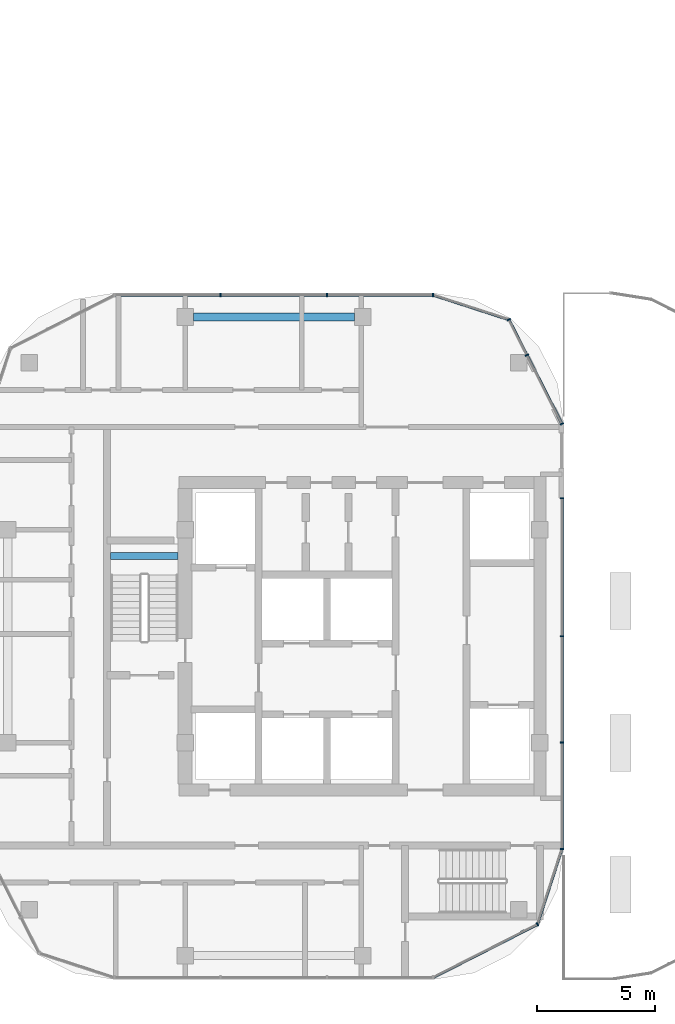
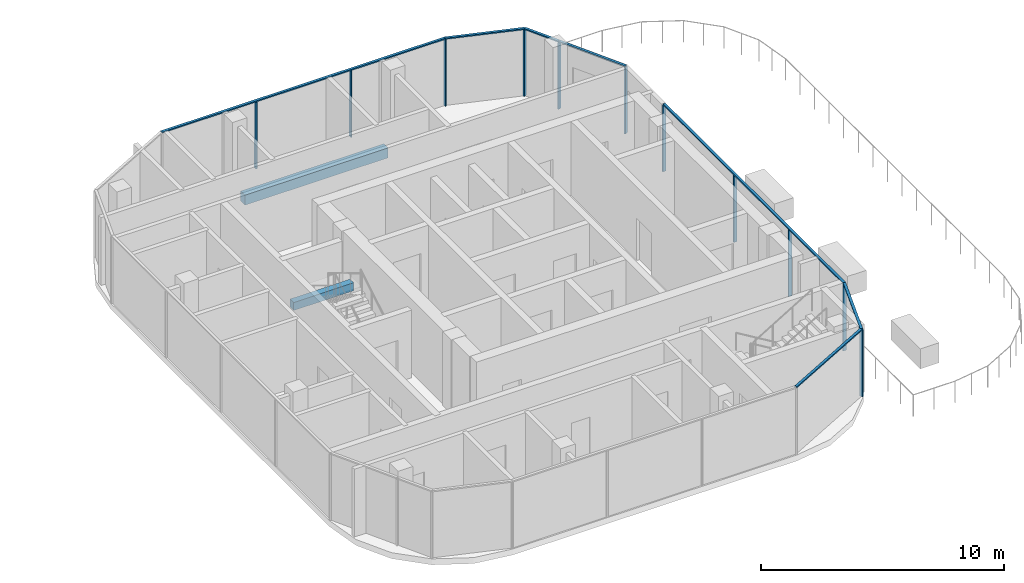
# One storey, part 9 of 35: 18 members, 2 beams, 5 elements without a shape of their own.
"""IFC4 building model written with IfcOpenShell, lengths in metres."""

from ifc_helpers import new_model, si_unit, direction, frame, origin, origin_2d, place, context, subcontext, project, spatial, rectangle, extrude, material, material_profile, profile_set, type_object, element, aggregate, save


model = new_model("IFC4")

# Units and contexts
model_context = context("Model", 3, precision=1e-05, world=origin(), true_north=direction((0.0, 1.0)))
body_context = subcontext(model_context, "Body", "Model", "MODEL_VIEW")
ifc_project = project(units=[si_unit("LENGTHUNIT", "METRE"), si_unit("AREAUNIT", "SQUARE_METRE"), si_unit("VOLUMEUNIT", "CUBIC_METRE"), si_unit("PLANEANGLEUNIT", "RADIAN"), si_unit("MASSUNIT", "GRAM", prefix="KILO")], contexts=[model_context])

# Site, building, storey
site_placement = place(None, origin())
site = spatial("IfcSite", under=ifc_project, at=site_placement, CompositionType="ELEMENT")
building_placement = place(site_placement, origin())
building = spatial("IfcBuilding", under=site, at=building_placement, Name="Ogive Portal Towers", CompositionType="ELEMENT")
storey_placement = place(building_placement, frame((0.0, 0.0, 94.5)))
storey = spatial("IfcBuildingStorey", under=building, at=storey_placement, Name="L22", CompositionType="ELEMENT", Elevation=94.5)

# Beam
ifc_material_1 = material(Name="Concrete C40/50", Category="concrete")
ifc_material_profile_1 = material_profile(ifc_material_1, rectangle(XDim=0.300048828125, YDim=0.39990234375, at=origin_2d()), Name="RC 300x400")
ifc_profile_set_1 = profile_set([ifc_material_profile_1], Name="Concrete C40/50")
beam_type_1 = type_object("IfcBeamType", Name="BEAM RC 300x400", PredefinedType="BEAM", material=ifc_profile_set_1)
beam_1_placement = place(storey_placement, frame((125.85009765625, 34.39990234375, 1.449951171875), z_axis=(1.0, 0.0, 0.0), x_axis=(0.0, 1.0, 0.0)))
element("IfcBeam", 1, at=beam_1_placement, inside=storey, type_object=beam_type_1, Name="Landing beam L22", PredefinedType="BEAM", context=body_context, shape_type="SweptSolid", body=[
    extrude(rectangle(XDim=0.300048828125, YDim=0.39990234375, at=origin_2d()), origin(), (0.0, 0.0, 1.0), 2.849853515625),
])

# Curtain wall, members
ifc_material_2 = material(Name="Glass, clear low-iron insulated glazing", Category="glass")
curtain_wall_type = type_object("IfcCurtainWallType", Name="CW RESIDENCES RIBBON", PredefinedType="NOTDEFINED", material=ifc_material_2)
curtain_wall_1_placement = place(storey_placement, origin())
curtain_wall_1 = element("IfcCurtainWall", 2, at=curtain_wall_1_placement, inside=storey, type_object=curtain_wall_type, Name="B:L22:f05:cw0", PredefinedType="NOTDEFINED")
ifc_material_3 = material(Name="Aluminium 6063 anodised", Category="aluminium")
ifc_material_profile_2 = material_profile(ifc_material_3, rectangle(XDim=0.159912109375, YDim=0.06005859375, at=origin_2d()), Name="AL 60x160")
ifc_profile_set_2 = profile_set([ifc_material_profile_2], Name="Aluminium 6063 anodised")
member_type_1 = type_object("IfcMemberType", Name="CW MULLION 60x160", PredefinedType="MULLION", material=ifc_profile_set_2)
member_1_placement = place(storey_placement, frame((144.929931640625, 22.0126953125, 0.0), z_axis=(0.0, 0.0, 1.0), x_axis=(-1.0, 0.0, 0.0)))
member_1 = element("IfcMember", 3, at=member_1_placement, type_object=member_type_1, Name="mullion", PredefinedType="MULLION", context=body_context, shape_type="SweptSolid", body=[
    extrude(rectangle(XDim=0.159912109375, YDim=0.06005859375, at=origin_2d()), origin(), (0.0, 0.0, 1.0), 3.340087890625),
])
member_2_placement = place(storey_placement, frame((144.929931640625, 26.5, 0.0), z_axis=(0.0, 0.0, 1.0), x_axis=(-1.0, 0.0, 0.0)))
member_2 = element("IfcMember", 4, at=member_2_placement, type_object=member_type_1, Name="mullion", PredefinedType="MULLION", context=body_context, shape_type="SweptSolid", body=[
    extrude(rectangle(XDim=0.159912109375, YDim=0.06005859375, at=origin_2d()), origin(), (0.0, 0.0, 1.0), 3.340087890625),
])
member_3_placement = place(storey_placement, frame((144.929931640625, 31.0, 0.0), z_axis=(0.0, 0.0, 1.0), x_axis=(-1.0, 0.0, 0.0)))
member_3 = element("IfcMember", 5, at=member_3_placement, type_object=member_type_1, Name="mullion", PredefinedType="MULLION", context=body_context, shape_type="SweptSolid", body=[
    extrude(rectangle(XDim=0.159912109375, YDim=0.06005859375, at=origin_2d()), origin(), (0.0, 0.0, 1.0), 3.340087890625),
])
member_4_placement = place(storey_placement, frame((144.929931640625, 36.83642578125, 0.0), z_axis=(0.0, 0.0, 1.0), x_axis=(-1.0, 0.0, 0.0)))
member_4 = element("IfcMember", 6, at=member_4_placement, type_object=member_type_1, Name="mullion", PredefinedType="MULLION", context=body_context, shape_type="SweptSolid", body=[
    extrude(rectangle(XDim=0.159912109375, YDim=0.06005859375, at=origin_2d()), origin(), (0.0, 0.0, 1.0), 3.340087890625),
])

curtain_wall_2_placement = place(storey_placement, origin())
curtain_wall_2 = element("IfcCurtainWall", 7, at=curtain_wall_2_placement, inside=storey, type_object=curtain_wall_type, Name="B:L22:f08:cw0", PredefinedType="NOTDEFINED")
member_5_placement = place(storey_placement, frame((139.4873046875, 45.429931640625, 0.0), z_axis=(0.0, 0.0, 1.0), x_axis=(0.0, -1.0, 0.0)))
member_5 = element("IfcMember", 8, at=member_5_placement, type_object=member_type_1, Name="mullion", PredefinedType="MULLION", context=body_context, shape_type="SweptSolid", body=[
    extrude(rectangle(XDim=0.159912109375, YDim=0.06005859375, at=origin_2d()), origin(), (0.0, 0.0, 1.0), 3.340087890625),
])
member_6_placement = place(storey_placement, frame((135.0, 45.429931640625, 0.0), z_axis=(0.0, 0.0, 1.0), x_axis=(0.0, -1.0, 0.0)))
member_6 = element("IfcMember", 9, at=member_6_placement, type_object=member_type_1, Name="mullion", PredefinedType="MULLION", context=body_context, shape_type="SweptSolid", body=[
    extrude(rectangle(XDim=0.159912109375, YDim=0.06005859375, at=origin_2d()), origin(), (0.0, 0.0, 1.0), 3.340087890625),
])
member_7_placement = place(storey_placement, frame((130.5, 45.429931640625, 0.0), z_axis=(0.0, 0.0, 1.0), x_axis=(0.0, -1.0, 0.0)))
member_7 = element("IfcMember", 10, at=member_7_placement, type_object=member_type_1, Name="mullion", PredefinedType="MULLION", context=body_context, shape_type="SweptSolid", body=[
    extrude(rectangle(XDim=0.159912109375, YDim=0.06005859375, at=origin_2d()), origin(), (0.0, 0.0, 1.0), 3.340087890625),
])

# Curtain wall, member
curtain_wall_3_placement = place(storey_placement, origin())
curtain_wall_3 = element("IfcCurtainWall", 11, at=curtain_wall_3_placement, inside=storey, type_object=curtain_wall_type, Name="B:L22:f03:cwa", PredefinedType="NOTDEFINED")
member_8_placement = place(storey_placement, frame((143.891845703125, 18.817626953125, 0.0), z_axis=(0.0, 0.0, 1.0), x_axis=(-0.45399049974, 0.891006524188, 0.0)))
member_8 = element("IfcMember", 12, at=member_8_placement, type_object=member_type_1, Name="mullion", PredefinedType="MULLION", context=body_context, shape_type="SweptSolid", body=[
    extrude(rectangle(XDim=0.159912109375, YDim=0.06005859375, at=origin_2d()), origin(), (0.0, 0.0, 1.0), 3.340087890625),
])

# Curtain wall, members
curtain_wall_4_placement = place(storey_placement, origin())
curtain_wall_4 = element("IfcCurtainWall", 13, at=curtain_wall_4_placement, inside=storey, type_object=curtain_wall_type, Name="B:L22:f06:cwa~0", PredefinedType="NOTDEFINED")
member_9_placement = place(storey_placement, frame((144.929931640625, 39.980712890625, 0.0), z_axis=(0.0, 0.0, 1.0), x_axis=(-0.891006524188, -0.45399049974, 0.0)))
member_9 = element("IfcMember", 14, at=member_9_placement, type_object=member_type_1, Name="mullion", PredefinedType="MULLION", context=body_context, shape_type="SweptSolid", body=[
    extrude(rectangle(XDim=0.159912109375, YDim=0.06005859375, at=origin_2d()), origin(), (0.0, 0.0, 1.0), 3.340087890625),
])
member_10_placement = place(storey_placement, frame((143.448974609375, 42.887451171875, 0.0), z_axis=(0.0, 0.0, 1.0), x_axis=(-0.891006524188, -0.45399049974, 0.0)))
member_10 = element("IfcMember", 15, at=member_10_placement, type_object=member_type_1, Name="mullion", PredefinedType="MULLION", context=body_context, shape_type="SweptSolid", body=[
    extrude(rectangle(XDim=0.159912109375, YDim=0.06005859375, at=origin_2d()), origin(), (0.0, 0.0, 1.0), 3.340087890625),
])

# Curtain wall, member
curtain_wall_5_placement = place(storey_placement, origin())
curtain_wall_5 = element("IfcCurtainWall", 16, at=curtain_wall_5_placement, inside=storey, type_object=curtain_wall_type, Name="B:L22:f06:cwa~1", PredefinedType="NOTDEFINED")
member_11_placement = place(storey_placement, frame((142.682373046875, 44.391845703125, 0.0), z_axis=(0.0, 0.0, 1.0), x_axis=(-0.891006524188, -0.45399049974, 0.0)))
member_11 = element("IfcMember", 17, at=member_11_placement, type_object=member_type_1, Name="mullion", PredefinedType="MULLION", context=body_context, shape_type="SweptSolid", body=[
    extrude(rectangle(XDim=0.159912109375, YDim=0.06005859375, at=origin_2d()), origin(), (0.0, 0.0, 1.0), 3.340087890625),
])

# Member
ifc_material_profile_3 = material_profile(ifc_material_3, rectangle(XDim=0.1201171875, YDim=0.06005859375, at=origin_2d()), Name="AL 120x60")
ifc_profile_set_3 = profile_set([ifc_material_profile_3], Name="Aluminium 6063 anodised")
member_type_2 = type_object("IfcMemberType", Name="CW TRANSOM 60x120", PredefinedType="USERDEFINED", material=ifc_profile_set_3)
member_12_placement = place(storey_placement, frame((144.929931640625, 22.0126953125, 3.3701171875), z_axis=(0.0, 1.0, 0.0), x_axis=(-1.0, 0.0, 0.0)))
member_12 = element("IfcMember", 18, at=member_12_placement, type_object=member_type_2, Name="transom", ObjectType="TRANSOM", PredefinedType="USERDEFINED", context=body_context, shape_type="SweptSolid", body=[
    extrude(rectangle(XDim=0.1201171875, YDim=0.06005859375, at=origin_2d()), origin(), (0.0, 0.0, 1.0), 14.82373046875),
])

aggregate(curtain_wall_1, [member_12, member_1, member_2, member_3, member_4])

member_13_placement = place(storey_placement, frame((139.4873046875, 45.429931640625, 3.3701171875), z_axis=(-1.0, 0.0, 0.0), x_axis=(0.0, -1.0, 0.0)))
member_13 = element("IfcMember", 19, at=member_13_placement, type_object=member_type_2, Name="transom", ObjectType="TRANSOM", PredefinedType="USERDEFINED", context=body_context, shape_type="SweptSolid", body=[
    extrude(rectangle(XDim=0.1201171875, YDim=0.06005859375, at=origin_2d()), origin(), (0.0, 0.0, 1.0), 13.468017578125),
])

aggregate(curtain_wall_2, [member_13, member_5, member_6, member_7])

member_14_placement = place(storey_placement, frame((139.480712890625, 16.570068359375, 3.3701171875), z_axis=(0.891008635106, 0.453986356807, 0.0), x_axis=(-0.453986356807, 0.891008635106, 0.0)))
member_14 = element("IfcMember", 20, at=member_14_placement, type_object=member_type_2, Name="transom", ObjectType="TRANSOM", PredefinedType="USERDEFINED", context=body_context, shape_type="SweptSolid", body=[
    extrude(rectangle(XDim=0.1201171875, YDim=0.06005859375, at=origin_2d()), origin(), (0.0, 0.0, 1.0), 4.95068359375),
])

member_15_placement = place(storey_placement, frame((143.891845703125, 18.817626953125, 3.3701171875), z_axis=(0.309002265981, 0.951061301714, 0.0), x_axis=(-0.951061301714, 0.309002265981, 0.0)))
member_15 = element("IfcMember", 21, at=member_15_placement, type_object=member_type_2, Name="transom", ObjectType="TRANSOM", PredefinedType="USERDEFINED", context=body_context, shape_type="SweptSolid", body=[
    extrude(rectangle(XDim=0.1201171875, YDim=0.06005859375, at=origin_2d()), origin(), (0.0, 0.0, 1.0), 3.359375),
])

aggregate(curtain_wall_3, [member_14, member_15, member_8])

member_16_placement = place(storey_placement, frame((144.929931640625, 39.980712890625, 3.3701171875), z_axis=(-0.453966140065, 0.891018935643, 0.0), x_axis=(-0.891018935643, -0.453966140065, 0.0)))
member_16 = element("IfcMember", 22, at=member_16_placement, type_object=member_type_2, Name="transom", ObjectType="TRANSOM", PredefinedType="USERDEFINED", context=body_context, shape_type="SweptSolid", body=[
    extrude(rectangle(XDim=0.1201171875, YDim=0.06005859375, at=origin_2d()), origin(), (0.0, 0.0, 1.0), 3.26220703125),
])

aggregate(curtain_wall_4, [member_16, member_9, member_10])

member_17_placement = place(storey_placement, frame((143.4384765625, 42.907958984375, 3.3701171875), z_axis=(-0.45400264024, 0.89100033819, 0.0), x_axis=(-0.89100033819, -0.45400264024, 0.0)))
member_17 = element("IfcMember", 23, at=member_17_placement, type_object=member_type_2, Name="transom", ObjectType="TRANSOM", PredefinedType="USERDEFINED", context=body_context, shape_type="SweptSolid", body=[
    extrude(rectangle(XDim=0.1201171875, YDim=0.06005859375, at=origin_2d()), origin(), (0.0, 0.0, 1.0), 1.66552734375),
])

member_18_placement = place(storey_placement, frame((142.682373046875, 44.391845703125, 3.3701171875), z_axis=(-0.951061301714, 0.309002265981, 0.0), x_axis=(-0.309002265981, -0.951061301714, 0.0)))
member_18 = element("IfcMember", 24, at=member_18_placement, type_object=member_type_2, Name="transom", ObjectType="TRANSOM", PredefinedType="USERDEFINED", context=body_context, shape_type="SweptSolid", body=[
    extrude(rectangle(XDim=0.1201171875, YDim=0.06005859375, at=origin_2d()), origin(), (0.0, 0.0, 1.0), 3.359375),
])

aggregate(curtain_wall_5, [member_17, member_18, member_11])

# Beam
ifc_material_4 = material(Name="Concrete C50/60", Category="concrete")
ifc_material_profile_4 = material_profile(ifc_material_4, rectangle(XDim=0.35009765625, YDim=0.5, at=origin_2d()), Name="RC 350x500")
ifc_profile_set_4 = profile_set([ifc_material_profile_4], Name="Concrete C50/60")
beam_type_2 = type_object("IfcBeamType", Name="SPANDREL BEAM RC 350x500", PredefinedType="BEAM", material=ifc_profile_set_4)
beam_2_placement = place(storey_placement, frame((136.14990234375, 44.5, -0.550048828125), z_axis=(-1.0, 0.0, 0.0), x_axis=(0.0, -1.0, 0.0)))
element("IfcBeam", 25, at=beam_2_placement, inside=storey, type_object=beam_type_2, Name="Spandrel beam L22", PredefinedType="BEAM", context=body_context, shape_type="SweptSolid", body=[
    extrude(rectangle(XDim=0.35009765625, YDim=0.5, at=origin_2d()), origin(), (0.0, 0.0, 1.0), 6.7998046875),
])

save(model, "model.ifc")
